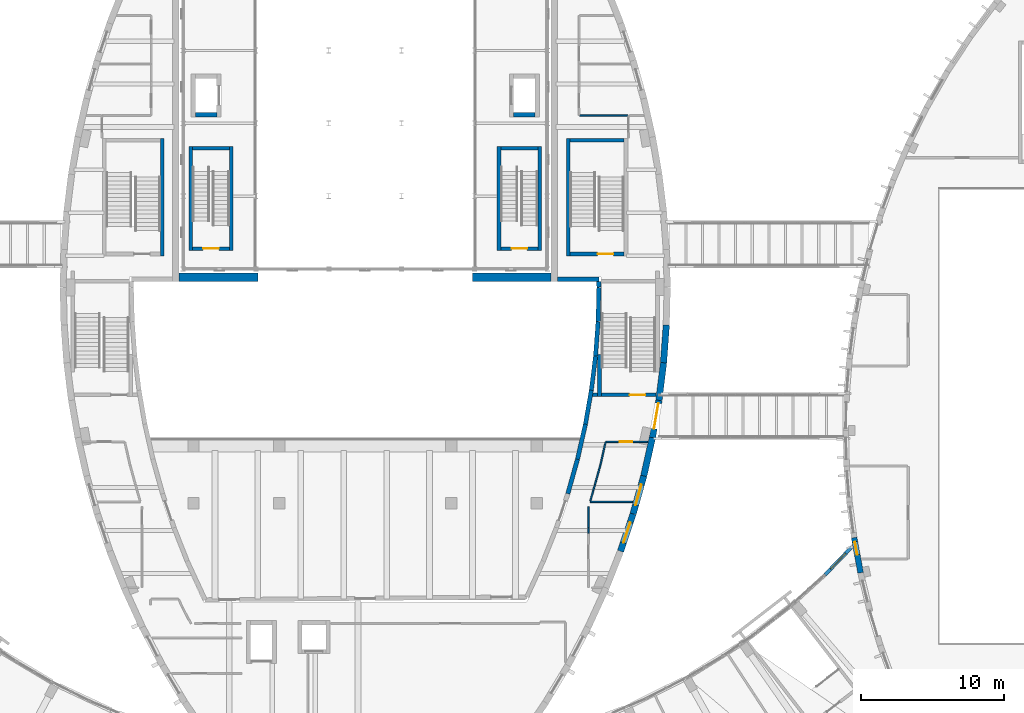
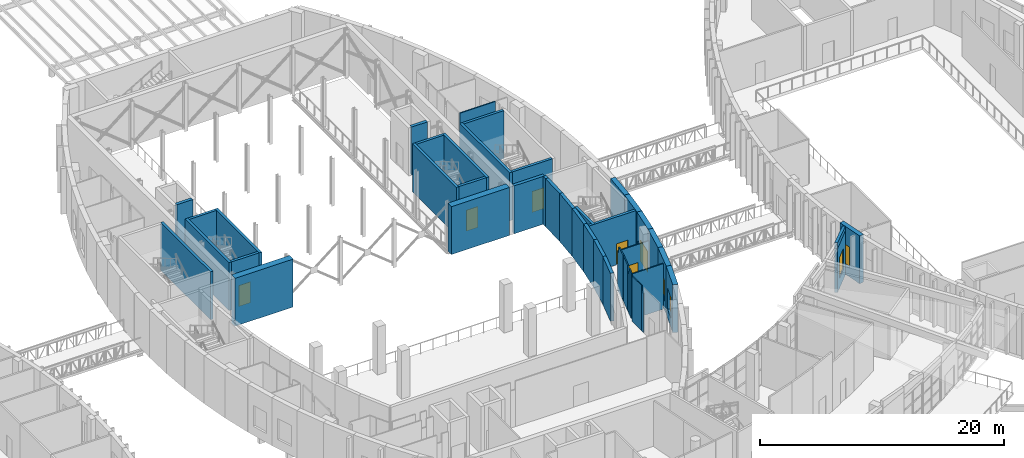
# One storey, part 61 of 93: 44 walls, 6 doors, 4 windows, 10 openings.
"""IFC4 building model written with IfcOpenShell, lengths in metres."""

from ifc_helpers import new_model, si_unit, direction, frame, frame_2d, origin, place, context, subcontext, project, spatial, polyline, rectangle, outline, extrude, material, layer, layer_set, type_object, element, fill, save


model = new_model("IFC4")

# Units and contexts
model_context = context("Model", 3, precision=1e-05, world=origin(), true_north=direction((0.0, 1.0)))
body_context = subcontext(model_context, "Body", "Model", "MODEL_VIEW")
ifc_project = project(units=[si_unit("LENGTHUNIT", "METRE"), si_unit("AREAUNIT", "SQUARE_METRE"), si_unit("VOLUMEUNIT", "CUBIC_METRE"), si_unit("PLANEANGLEUNIT", "RADIAN"), si_unit("MASSUNIT", "GRAM", prefix="KILO")], contexts=[model_context])

# Site, building, storey
site_placement = place(None, origin())
site = spatial("IfcSite", under=ifc_project, at=site_placement, CompositionType="ELEMENT")
building_placement = place(site_placement, origin())
building = spatial("IfcBuilding", under=site, at=building_placement, Name="Tide Square Theatres", CompositionType="ELEMENT")
storey_placement = place(building_placement, frame((0.0, 0.0, 5.39990234375)))
storey = spatial("IfcBuildingStorey", under=building, at=storey_placement, Name="L01", CompositionType="ELEMENT", Elevation=5.39990234375)

# Walls
ifc_material_1 = material(Name="Gypsum board on steel studs", Category="steel")
ifc_layer_1 = layer(ifc_material_1, 0.10009765625)
ifc_layer_set_1 = layer_set([ifc_layer_1], Name="Gypsum board on steel studs")
wall_type_1 = type_object("IfcWallType", Name="Partition 100 thick", PredefinedType="PARTITIONING", material=ifc_layer_set_1)
wall_1_placement = place(storey_placement, frame((102.360107421875, 67.0, 0.0), z_axis=(0.0, 0.0, 1.0), x_axis=(-1.0, 0.0, 0.0)))
element("IfcWall", 1, at=wall_1_placement, inside=storey, type_object=wall_type_1, Name="Partition", PredefinedType="PARTITIONING", context=body_context, shape_type="SweptSolid", body=[
    extrude(rectangle(XDim=3.376953125, YDim=0.10009765625, at=frame_2d((1.6884765625, 0.0))), origin(), (0.0, 0.0, 1.0), 4.550048828125),
])
wall_2_placement = place(storey_placement, frame((99.60009765625, 37.820068359375, 0.0), z_axis=(0.0, 0.0, 1.0), x_axis=(0.0, 1.0, 0.0)))
element("IfcWall", 2, at=wall_2_placement, inside=storey, type_object=wall_type_1, Name="Partition", PredefinedType="PARTITIONING", context=body_context, shape_type="SweptSolid", body=[
    extrude(rectangle(XDim=0.35986328125, YDim=0.10009765625, at=frame_2d((0.179931640625, 0.0))), origin(), (0.0, 0.0, 1.0), 3.920166015625),
])
wall_3_placement = place(storey_placement, frame((99.60009765625, 38.179931640625, 0.0), z_axis=(0.0, 0.0, 1.0), x_axis=(0.0, 1.0, 0.0)))
element("IfcWall", 3, at=wall_3_placement, inside=storey, type_object=wall_type_1, Name="Partition", PredefinedType="PARTITIONING", context=body_context, shape_type="SweptSolid", body=[
    extrude(rectangle(XDim=1.487548828125, YDim=0.10009765625, at=frame_2d((0.74365234375, 0.0))), origin(), (0.0, 0.0, 1.0), 4.550048828125),
])
wall_4_placement = place(storey_placement, frame((99.7373046875, 40.082763671875, 0.0), z_axis=(0.0, 0.0, 1.0), x_axis=(0.270039714022, 0.962849184894, 0.0)))
element("IfcWall", 4, at=wall_4_placement, inside=storey, type_object=wall_type_1, Name="Partition", PredefinedType="PARTITIONING", context=body_context, shape_type="SweptSolid", body=[
    extrude(rectangle(XDim=0.751220703125, YDim=0.10009765625, at=frame_2d((0.37548828125, 0.0))), origin(), (0.0, 0.0, 1.0), 4.550048828125),
])
wall_5_placement = place(storey_placement, frame((99.940185546875, 40.80615234375, 0.0), z_axis=(0.0, 0.0, 1.0), x_axis=(0.26983234105, 0.962907320423, 0.0)))
element("IfcWall", 5, at=wall_5_placement, inside=storey, type_object=wall_type_1, Name="Partition", PredefinedType="PARTITIONING", context=body_context, shape_type="SweptSolid", body=[
    extrude(rectangle(XDim=0.402587890625, YDim=0.10009765625, at=frame_2d((0.201171875, 0.0))), origin(), (0.0, 0.0, 1.0), 3.920166015625),
])
wall_6_placement = place(storey_placement, frame((100.048828125, 41.19384765625, 0.0), z_axis=(0.0, 0.0, 1.0), x_axis=(0.269963692325, 0.962870502626, 0.0)))
element("IfcWall", 6, at=wall_6_placement, inside=storey, type_object=wall_type_1, Name="Partition", PredefinedType="PARTITIONING", context=body_context, shape_type="SweptSolid", body=[
    extrude(rectangle(XDim=1.43798828125, YDim=0.10009765625, at=frame_2d((0.718994140625, 0.0))), origin(), (0.0, 0.0, 1.0), 4.550048828125),
])
wall_7_placement = place(storey_placement, frame((99.7373046875, 40.0, 0.0), z_axis=(0.0, 0.0, 1.0), x_axis=(1.0, 0.0, 0.0)))
element("IfcWall", 7, at=wall_7_placement, inside=storey, type_object=wall_type_1, Name="Partition", PredefinedType="PARTITIONING", context=body_context, shape_type="SweptSolid", body=[
    extrude(rectangle(XDim=2.94873046875, YDim=0.10009765625, at=frame_2d((1.474365234375, 0.0))), origin(), (0.0, 0.0, 1.0), 4.550048828125),
])
wall_8_placement = place(storey_placement, frame((100.43994140625, 42.590576171875, 0.0), z_axis=(0.0, 0.0, 1.0), x_axis=(0.220357953529, 0.975419075227, 0.0)))
element("IfcWall", 8, at=wall_8_placement, inside=storey, type_object=wall_type_1, Name="Partition", PredefinedType="PARTITIONING", context=body_context, shape_type="SweptSolid", body=[
    extrude(outline(polyline([(0.0, 0.0), (1.620849609375, 0.0), (1.631103515625, 4.550048828125), (1.631103515625, 3.920166015625), (1.2490234375, 3.920166015625), (1.2470703125, 4.550048828125), (0.0, 4.550048828125), (0.0, 0.0)])), frame((0.0, 0.050048828125, 0.0), z_axis=(0.0, -1.0, 0.0), x_axis=(1.0, 0.0, 0.0)), (0.0, 0.0, 1.0), 0.10009765625),
])

# Wall, opening, door
wall_9_placement = place(storey_placement, frame((100.822509765625, 44.199951171875, 0.0), z_axis=(0.0, 0.0, 1.0), x_axis=(1.0, 0.0, 0.0)))
wall_9 = element("IfcWall", 9, at=wall_9_placement, inside=storey, type_object=wall_type_1, Name="Partition", PredefinedType="PARTITIONING", context=body_context, shape_type="SweptSolid", body=[
    extrude(rectangle(XDim=2.9140625, YDim=0.10009765625, at=frame_2d((1.45703125, 0.0))), origin(), (0.0, 0.0, 1.0), 3.920166015625),
])
opening_1_placement = place(wall_9_placement, frame((0.95703125, 0.0, 0.0)))
opening_1 = element("IfcOpeningElement", 10, at=opening_1_placement, cuts=wall_9, Name="Opening M01-15", PredefinedType="OPENING", context=body_context, shape_type="SweptSolid", body=[
    extrude(rectangle(XDim=0.89990234375, YDim=2.10009765625, at=frame_2d((0.449951171875, 1.050048828125))), frame((0.0, 0.06005859375, 0.0), z_axis=(0.0, -1.0, 0.0), x_axis=(1.0, 0.0, 0.0)), (0.0, 0.0, 1.0), 0.1201171875),
])
ifc_material_2 = material(Name="Hardwood timber", Category="wood")
door_type_1 = type_object("IfcDoorType", Name="Door 900 x 2100 single leaf", OperationType="NOTDEFINED", PredefinedType="DOOR", material=ifc_material_2)
door_1_placement = place(opening_1_placement, frame((0.89990234375, 0.0, 0.0), z_axis=(0.0, 0.0, 1.0), x_axis=(-1.0, 0.0, 0.0)))
door_1 = element("IfcDoor", 11, at=door_1_placement, inside=storey, type_object=door_type_1, Name="Wardrobe Room door", OperationType="SINGLE_SWING_LEFT", OverallHeight=2.10009765625, OverallWidth=0.89990234375, PredefinedType="DOOR", context=body_context, shape_type="SweptSolid", body=[
    extrude(rectangle(XDim=0.89990234375, YDim=2.10009765625, at=frame_2d((0.449951171875, 1.050048828125))), frame((0.0, 0.02490234375, 0.0), z_axis=(0.0, -1.0, 0.0), x_axis=(1.0, 0.0, 0.0)), (0.0, 0.0, 1.0), 0.050048828125),
])
fill(opening_1, door_1)

# Wall, opening, window
ifc_material_3 = material(Name="Concrete C40", Category="concrete")
ifc_layer_2 = layer(ifc_material_3, 0.39990234375)
ifc_layer_set_2 = layer_set([ifc_layer_2], Name="Concrete C40")
wall_type_2 = type_object("IfcWallType", Name="RC curved wall 400 thick", PredefinedType="SOLIDWALL", material=ifc_layer_set_2)
wall_10_placement = place(storey_placement, frame((118.164794921875, 37.501953125, 0.0), z_axis=(0.0, 0.0, 1.0), x_axis=(0.182652956339, -0.983177449671, 0.0)))
wall_10 = element("IfcWall", 12, at=wall_10_placement, inside=storey, type_object=wall_type_2, Name="Black Box Theatre perimeter wall", PredefinedType="SOLIDWALL", context=body_context, shape_type="SweptSolid", body=[
    extrude(rectangle(XDim=2.496826171875, YDim=0.39990234375, at=frame_2d((1.24853515625, 0.0))), origin(), (0.0, 0.0, 1.0), 4.800048828125),
])
opening_2_placement = place(wall_10_placement, frame((0.307373046875, 0.0, 0.89990234375)))
opening_2 = element("IfcOpeningElement", 13, at=opening_2_placement, cuts=wall_10, Name="Opening WN-10", PredefinedType="OPENING", context=body_context, shape_type="SweptSolid", body=[
    extrude(rectangle(XDim=0.89990234375, YDim=2.10009765625, at=frame_2d((0.449951171875, 1.050048828125))), frame((0.0, 0.2099609375, 0.0), z_axis=(0.0, -1.0, 0.0), x_axis=(1.0, 0.0, 0.0)), (0.0, 0.0, 1.0), 0.419921875),
])
ifc_material_4 = material(Name="Aluminium with laminated glass", Category="aluminium")
window_type_1 = type_object("IfcWindowType", Name="Window 900 x 2100", PartitioningType="SINGLE_PANEL", PredefinedType="WINDOW", material=ifc_material_4)
window_1_placement = place(opening_2_placement, origin())
window_1 = element("IfcWindow", 14, at=window_1_placement, inside=storey, type_object=window_type_1, Name="Black Box Theatre Rehearsal Room 01 window", OverallHeight=2.10009765625, OverallWidth=0.89990234375, PartitioningType="SINGLE_PANEL", PredefinedType="WINDOW", context=body_context, shape_type="SweptSolid", body=[
    extrude(rectangle(XDim=0.89990234375, YDim=2.10009765625, at=frame_2d((0.449951171875, 1.050048828125))), frame((0.0, 0.030029296875, 0.0), z_axis=(0.0, -1.0, 0.0), x_axis=(1.0, 0.0, 0.0)), (0.0, 0.0, 1.0), 0.06005859375),
])
fill(opening_2, window_1)

ifc_material_5 = material(Name="Concrete C40", Category="concrete")
ifc_layer_3 = layer(ifc_material_5, 0.449951171875)
ifc_layer_set_3 = layer_set([ifc_layer_3], Name="Concrete C40")
wall_type_3 = type_object("IfcWallType", Name="RC curved wall 450 thick", PredefinedType="SOLIDWALL", material=ifc_layer_set_3)
wall_11_placement = place(storey_placement, frame((101.846923828125, 36.55322265625, 0.0), z_axis=(0.0, 0.0, 1.0), x_axis=(0.318887614688, 0.947792534893, 0.0)))
wall_11 = element("IfcWall", 15, at=wall_11_placement, inside=storey, type_object=wall_type_3, Name="Main Theatre perimeter wall", PredefinedType="SOLIDWALL", context=body_context, shape_type="SweptSolid", body=[
    extrude(rectangle(XDim=2.75244140625, YDim=0.449951171875, at=frame_2d((1.376220703125, 0.0))), origin(), (0.0, 0.0, 1.0), 4.800048828125),
])
opening_3_placement = place(wall_11_placement, frame((0.626220703125, 0.0, 0.89990234375)))
opening_3 = element("IfcOpeningElement", 16, at=opening_3_placement, cuts=wall_11, Name="Opening WN-01", PredefinedType="OPENING", context=body_context, shape_type="SweptSolid", body=[
    extrude(rectangle(XDim=1.5, YDim=2.10009765625, at=frame_2d((0.75, 1.050048828125))), frame((0.0, 0.23486328125, 0.0), z_axis=(0.0, -1.0, 0.0), x_axis=(1.0, 0.0, 0.0)), (0.0, 0.0, 1.0), 0.469970703125),
])
ifc_material_6 = material(Name="Aluminium with laminated glass", Category="aluminium")
window_type_2 = type_object("IfcWindowType", Name="Window 1500 x 2100", PartitioningType="SINGLE_PANEL", PredefinedType="WINDOW", material=ifc_material_6)
window_2_placement = place(opening_3_placement, origin())
window_2 = element("IfcWindow", 17, at=window_2_placement, inside=storey, type_object=window_type_2, Name="Main Theatre window", OverallHeight=2.10009765625, OverallWidth=1.5, PartitioningType="SINGLE_PANEL", PredefinedType="WINDOW", context=body_context, shape_type="SweptSolid", body=[
    extrude(rectangle(XDim=1.5, YDim=2.10009765625, at=frame_2d((0.75, 1.050048828125))), frame((0.0, 0.030029296875, 0.0), z_axis=(0.0, -1.0, 0.0), x_axis=(1.0, 0.0, 0.0)), (0.0, 0.0, 1.0), 0.06005859375),
])
fill(opening_3, window_2)

wall_12_placement = place(storey_placement, frame((102.724609375, 39.161865234375, 0.0), z_axis=(0.0, 0.0, 1.0), x_axis=(0.270008269196, 0.962858003324, 0.0)))
wall_12 = element("IfcWall", 18, at=wall_12_placement, inside=storey, type_object=wall_type_3, Name="Main Theatre perimeter wall", PredefinedType="SOLIDWALL", context=body_context, shape_type="SweptSolid", body=[
    extrude(rectangle(XDim=2.75244140625, YDim=0.449951171875, at=frame_2d((1.376220703125, 0.0))), origin(), (0.0, 0.0, 1.0), 4.800048828125),
])
opening_4_placement = place(wall_12_placement, frame((0.626220703125, 0.0, 0.89990234375)))
opening_4 = element("IfcOpeningElement", 19, at=opening_4_placement, cuts=wall_12, Name="Opening WN-01", PredefinedType="OPENING", context=body_context, shape_type="SweptSolid", body=[
    extrude(rectangle(XDim=1.5, YDim=2.10009765625, at=frame_2d((0.75, 1.050048828125))), frame((0.0, 0.23486328125, 0.0), z_axis=(0.0, -1.0, 0.0), x_axis=(1.0, 0.0, 0.0)), (0.0, 0.0, 1.0), 0.469970703125),
])
window_3_placement = place(opening_4_placement, origin())
window_3 = element("IfcWindow", 20, at=window_3_placement, inside=storey, type_object=window_type_2, Name="Main Theatre window", OverallHeight=2.10009765625, OverallWidth=1.5, PartitioningType="SINGLE_PANEL", PredefinedType="WINDOW", context=body_context, shape_type="SweptSolid", body=[
    extrude(rectangle(XDim=1.5, YDim=2.10009765625, at=frame_2d((0.75, 1.050048828125))), frame((0.0, 0.030029296875, 0.0), z_axis=(0.0, -1.0, 0.0), x_axis=(1.0, 0.0, 0.0)), (0.0, 0.0, 1.0), 0.06005859375),
])
fill(opening_4, window_3)

# Wall
wall_13_placement = place(storey_placement, frame((103.4677734375, 41.81201171875, 0.0), z_axis=(0.0, 0.0, 1.0), x_axis=(0.220347996563, 0.975421324562, 0.0)))
element("IfcWall", 21, at=wall_13_placement, inside=storey, type_object=wall_type_3, Name="Main Theatre perimeter wall", PredefinedType="SOLIDWALL", context=body_context, shape_type="SweptSolid", body=[
    extrude(rectangle(XDim=2.752197265625, YDim=0.449951171875, at=frame_2d((1.3759765625, 0.0))), origin(), (0.0, 0.0, 1.0), 4.800048828125),
])

# Wall, opening, door
wall_14_placement = place(storey_placement, frame((104.07421875, 44.49658203125, 0.0), z_axis=(0.0, 0.0, 1.0), x_axis=(0.171196910379, 0.985236833394, 0.0)))
wall_14 = element("IfcWall", 22, at=wall_14_placement, inside=storey, type_object=wall_type_3, Name="Main Theatre perimeter wall", PredefinedType="SOLIDWALL", context=body_context, shape_type="SweptSolid", body=[
    extrude(rectangle(XDim=2.642578125, YDim=0.449951171875, at=frame_2d((1.3212890625, 0.0))), origin(), (0.0, 0.0, 1.0), 4.800048828125),
])
opening_5_placement = place(wall_14_placement, frame((0.6259765625, 0.0, 0.0)))
opening_5 = element("IfcOpeningElement", 23, at=opening_5_placement, cuts=wall_14, Name="Opening M01-08", PredefinedType="OPENING", context=body_context, shape_type="SweptSolid", body=[
    extrude(rectangle(XDim=1.800048828125, YDim=2.10009765625, at=frame_2d((0.89990234375, 1.050048828125))), frame((0.0, 0.23486328125, 0.0), z_axis=(0.0, -1.0, 0.0), x_axis=(1.0, 0.0, 0.0)), (0.0, 0.0, 1.0), 0.469970703125),
])
ifc_material_7 = material(Name="Hardwood timber", Category="wood")
door_type_2 = type_object("IfcDoorType", Name="Door 1800 x 2100 double leaf", OperationType="DOUBLE_DOOR_SINGLE_SWING", PredefinedType="DOOR", material=ifc_material_7)
door_2_placement = place(opening_5_placement, frame((1.800048828125, 0.0, 0.0), z_axis=(0.0, 0.0, 1.0), x_axis=(-1.0, 0.0, 0.0)))
door_2 = element("IfcDoor", 24, at=door_2_placement, inside=storey, type_object=door_type_2, Name="Bridge door BR-E2", OperationType="DOUBLE_DOOR_SINGLE_SWING", OverallHeight=2.10009765625, OverallWidth=1.800048828125, PredefinedType="DOOR", context=body_context, shape_type="SweptSolid", body=[
    extrude(rectangle(XDim=1.800048828125, YDim=2.10009765625, at=frame_2d((0.89990234375, 1.050048828125))), frame((0.0, 0.02490234375, 0.0), z_axis=(0.0, -1.0, 0.0), x_axis=(1.0, 0.0, 0.0)), (0.0, 0.0, 1.0), 0.050048828125),
])
fill(opening_5, door_2)

# Walls
wall_15_placement = place(storey_placement, frame((104.526611328125, 47.10009765625, 0.0), z_axis=(0.0, 0.0, 1.0), x_axis=(0.122499610212, 0.992468561466, 0.0)))
element("IfcWall", 25, at=wall_15_placement, inside=storey, type_object=wall_type_3, Name="Main Theatre perimeter wall", PredefinedType="SOLIDWALL", context=body_context, shape_type="SweptSolid", body=[
    extrude(rectangle(XDim=2.642822265625, YDim=0.449951171875, at=frame_2d((1.3212890625, 0.0))), origin(), (0.0, 0.0, 1.0), 4.800048828125),
])
wall_16_placement = place(storey_placement, frame((104.850341796875, 49.722900390625, 0.0), z_axis=(0.0, 0.0, 1.0), x_axis=(0.07363685767, 0.997285121313, 0.0)))
element("IfcWall", 26, at=wall_16_placement, inside=storey, type_object=wall_type_3, Name="Main Theatre perimeter wall", PredefinedType="SOLIDWALL", context=body_context, shape_type="SweptSolid", body=[
    extrude(rectangle(XDim=2.642333984375, YDim=0.449951171875, at=frame_2d((1.3212890625, 0.0))), origin(), (0.0, 0.0, 1.0), 4.800048828125),
])
ifc_material_8 = material(Name="Concrete C40", Category="concrete")
ifc_layer_4 = layer(ifc_material_8, 0.25)
ifc_layer_set_4 = layer_set([ifc_layer_4], Name="Concrete C40")
wall_type_4 = type_object("IfcWallType", Name="RC shear wall 250 thick", PredefinedType="SHEAR", material=ifc_layer_set_4)
for number, where, z_axis, x_axis, name in (
    (27, (69.824951171875, 57.199951171875, 0.0), (0.0, 0.0, 1.0), (0.0, 1.0, 0.0), "Main Theatre West Stair shaft wall"),
    (28, (98.175048828125, 65.39990234375, 0.0), (0.0, 0.0, 1.0), (0.0, -1.0, 0.0), "Main Theatre East Stair shaft wall"),
):
    element("IfcWall", number, at=place(storey_placement, frame(where, z_axis=z_axis, x_axis=x_axis)), inside=storey, type_object=wall_type_4, Name=name, PredefinedType="SHEAR", context=body_context, shape_type="SweptSolid", body=[
        extrude(rectangle(XDim=8.199951171875, YDim=0.25, at=frame_2d((4.10009765625, 0.0))), origin(), (0.0, 0.0, 1.0), 4.800048828125),
    ])
wall_17_placement = place(storey_placement, frame((98.300048828125, 65.27490234375, 0.0), z_axis=(0.0, 0.0, 1.0), x_axis=(1.0, 0.0, 0.0)))
element("IfcWall", 29, at=wall_17_placement, inside=storey, type_object=wall_type_4, Name="Main Theatre East Stair shaft wall", PredefinedType="SHEAR", context=body_context, shape_type="SweptSolid", body=[
    extrude(rectangle(XDim=3.800048828125, YDim=0.25, at=frame_2d((1.89990234375, 0.0))), origin(), (0.0, 0.0, 1.0), 4.800048828125),
])

# Wall, opening, door
wall_18_placement = place(storey_placement, frame((102.10009765625, 57.324951171875, 0.0), z_axis=(0.0, 0.0, 1.0), x_axis=(-1.0, 0.0, 0.0)))
wall_18 = element("IfcWall", 30, at=wall_18_placement, inside=storey, type_object=wall_type_4, Name="Main Theatre East Stair shaft wall", PredefinedType="SHEAR", context=body_context, shape_type="SweptSolid", body=[
    extrude(rectangle(XDim=3.800048828125, YDim=0.25, at=frame_2d((1.89990234375, 0.0))), origin(), (0.0, 0.0, 1.0), 4.800048828125),
])
opening_6_placement = place(wall_18_placement, frame((0.75, 0.0, 0.0)))
opening_6 = element("IfcOpeningElement", 31, at=opening_6_placement, cuts=wall_18, Name="Opening M01-02", PredefinedType="OPENING", context=body_context, shape_type="SweptSolid", body=[
    extrude(rectangle(XDim=1.10009765625, YDim=2.10009765625, at=frame_2d((0.550048828125, 1.050048828125))), frame((0.0, 0.135009765625, 0.0), z_axis=(0.0, -1.0, 0.0), x_axis=(1.0, 0.0, 0.0)), (0.0, 0.0, 1.0), 0.27001953125),
])
ifc_material_9 = material(Name="Painted steel", Category="steel")
door_type_3 = type_object("IfcDoorType", Name="Door 1100 x 2100 single leaf", OperationType="NOTDEFINED", PredefinedType="DOOR", material=ifc_material_9)
door_3_placement = place(opening_6_placement, origin())
door_3 = element("IfcDoor", 32, at=door_3_placement, inside=storey, type_object=door_type_3, Name="Main Theatre East Stair stair door", OperationType="SINGLE_SWING_LEFT", OverallHeight=2.10009765625, OverallWidth=1.10009765625, PredefinedType="DOOR", context=body_context, shape_type="SweptSolid", body=[
    extrude(rectangle(XDim=1.10009765625, YDim=2.10009765625, at=frame_2d((0.550048828125, 1.050048828125))), frame((0.0, 0.02490234375, 0.0), z_axis=(0.0, -1.0, 0.0), x_axis=(1.0, 0.0, 0.0)), (0.0, 0.0, 1.0), 0.050048828125),
])
fill(opening_6, door_3)

# Wall
wall_19_placement = place(storey_placement, frame((100.375, 50.318115234375, 0.0), z_axis=(0.0, 0.0, 1.0), x_axis=(0.0, -1.0, 0.0)))
element("IfcWall", 33, at=wall_19_placement, inside=storey, type_object=wall_type_4, Name="Main Theatre East Circle Stair shaft wall", PredefinedType="SHEAR", context=body_context, shape_type="SweptSolid", body=[
    extrude(rectangle(XDim=2.968017578125, YDim=0.25, at=frame_2d((1.48388671875, 0.0))), origin(), (0.0, 0.0, 1.0), 4.800048828125),
])

# Wall, opening, door
wall_20_placement = place(storey_placement, frame((104.330078125, 47.47509765625, 0.0), z_axis=(0.0, 0.0, 1.0), x_axis=(-1.0, 0.0, 0.0)))
wall_20 = element("IfcWall", 34, at=wall_20_placement, inside=storey, type_object=wall_type_4, Name="Main Theatre East Circle Stair shaft wall", PredefinedType="SHEAR", context=body_context, shape_type="SweptSolid", body=[
    extrude(rectangle(XDim=4.43017578125, YDim=0.25, at=frame_2d((2.215087890625, 0.0))), origin(), (0.0, 0.0, 1.0), 4.800048828125),
])
opening_7_placement = place(wall_20_placement, frame((0.75, 0.0, 0.0)))
opening_7 = element("IfcOpeningElement", 35, at=opening_7_placement, cuts=wall_20, Name="Opening M01-04", PredefinedType="OPENING", context=body_context, shape_type="SweptSolid", body=[
    extrude(rectangle(XDim=1.10009765625, YDim=2.10009765625, at=frame_2d((0.550048828125, 1.050048828125))), frame((0.0, 0.135009765625, 0.0), z_axis=(0.0, -1.0, 0.0), x_axis=(1.0, 0.0, 0.0)), (0.0, 0.0, 1.0), 0.27001953125),
])
door_4_placement = place(opening_7_placement, origin())
door_4 = element("IfcDoor", 36, at=door_4_placement, inside=storey, type_object=door_type_3, Name="Main Theatre East Circle Stair stair door", OperationType="SINGLE_SWING_RIGHT", OverallHeight=2.10009765625, OverallWidth=1.10009765625, PredefinedType="DOOR", context=body_context, shape_type="SweptSolid", body=[
    extrude(rectangle(XDim=1.10009765625, YDim=2.10009765625, at=frame_2d((0.550048828125, 1.050048828125))), frame((0.0, 0.02490234375, 0.0), z_axis=(0.0, -1.0, 0.0), x_axis=(1.0, 0.0, 0.0)), (0.0, 0.0, 1.0), 0.050048828125),
])
fill(opening_7, door_4)

# Walls
for number, where, z_axis, x_axis, name in (
    (37, (74.65087890625, 57.575927734375, 0.0), (0.0, 0.0, 1.0), (0.0, 1.0, 0.0), "Fly Tower west stair shaft wall"),
    (38, (71.801025390625, 64.825927734375, 0.0), (0.0, 0.0, 1.0), (0.0, -1.0, 0.0), "Fly Tower west stair shaft wall"),
):
    element("IfcWall", number, at=place(storey_placement, frame(where, z_axis=z_axis, x_axis=x_axis)), inside=storey, type_object=wall_type_4, Name=name, PredefinedType="SHEAR", context=body_context, shape_type="SweptSolid", body=[
        extrude(rectangle(XDim=7.25, YDim=0.25, at=frame_2d((3.625, 0.0))), origin(), (0.0, 0.0, 1.0), 4.800048828125),
    ])
wall_21_placement = place(storey_placement, frame((71.926025390625, 64.700927734375, 0.0), z_axis=(0.0, 0.0, 1.0), x_axis=(1.0, 0.0, 0.0)))
element("IfcWall", 39, at=wall_21_placement, inside=storey, type_object=wall_type_4, Name="Fly Tower west stair shaft wall", PredefinedType="SHEAR", context=body_context, shape_type="SweptSolid", body=[
    extrude(rectangle(XDim=2.599853515625, YDim=0.25, at=frame_2d((1.2998046875, 0.0))), origin(), (0.0, 0.0, 1.0), 4.800048828125),
])

# Wall, opening, door
wall_22_placement = place(storey_placement, frame((74.52587890625, 57.700927734375, 0.0), z_axis=(0.0, 0.0, 1.0), x_axis=(-1.0, 0.0, 0.0)))
wall_22 = element("IfcWall", 40, at=wall_22_placement, inside=storey, type_object=wall_type_4, Name="Fly Tower west stair shaft wall", PredefinedType="SHEAR", context=body_context, shape_type="SweptSolid", body=[
    extrude(rectangle(XDim=2.599853515625, YDim=0.25, at=frame_2d((1.2998046875, 0.0))), origin(), (0.0, 0.0, 1.0), 4.800048828125),
])
opening_8_placement = place(wall_22_placement, frame((0.75, 0.0, 0.0)))
opening_8 = element("IfcOpeningElement", 41, at=opening_8_placement, cuts=wall_22, Name="Opening T01-01", PredefinedType="OPENING", context=body_context, shape_type="SweptSolid", body=[
    extrude(rectangle(XDim=1.10009765625, YDim=2.10009765625, at=frame_2d((0.550048828125, 1.050048828125))), frame((0.0, 0.135009765625, 0.0), z_axis=(0.0, -1.0, 0.0), x_axis=(1.0, 0.0, 0.0)), (0.0, 0.0, 1.0), 0.27001953125),
])
door_5_placement = place(opening_8_placement, origin())
door_5 = element("IfcDoor", 42, at=door_5_placement, inside=storey, type_object=door_type_3, Name="Fly Tower west stair stair door", OperationType="SINGLE_SWING_RIGHT", OverallHeight=2.10009765625, OverallWidth=1.10009765625, PredefinedType="DOOR", context=body_context, shape_type="SweptSolid", body=[
    extrude(rectangle(XDim=1.10009765625, YDim=2.10009765625, at=frame_2d((0.550048828125, 1.050048828125))), frame((0.0, 0.02490234375, 0.0), z_axis=(0.0, -1.0, 0.0), x_axis=(1.0, 0.0, 0.0)), (0.0, 0.0, 1.0), 0.050048828125),
])
fill(opening_8, door_5)

# Walls
for number, where, z_axis, x_axis, name in (
    (43, (96.198974609375, 57.575927734375, 0.0), (0.0, 0.0, 1.0), (0.0, 1.0, 0.0), "Fly Tower east stair shaft wall"),
    (44, (93.34912109375, 64.825927734375, 0.0), (0.0, 0.0, 1.0), (0.0, -1.0, 0.0), "Fly Tower east stair shaft wall"),
):
    element("IfcWall", number, at=place(storey_placement, frame(where, z_axis=z_axis, x_axis=x_axis)), inside=storey, type_object=wall_type_4, Name=name, PredefinedType="SHEAR", context=body_context, shape_type="SweptSolid", body=[
        extrude(rectangle(XDim=7.25, YDim=0.25, at=frame_2d((3.625, 0.0))), origin(), (0.0, 0.0, 1.0), 4.800048828125),
    ])
wall_23_placement = place(storey_placement, frame((93.47412109375, 64.700927734375, 0.0), z_axis=(0.0, 0.0, 1.0), x_axis=(1.0, 0.0, 0.0)))
element("IfcWall", 45, at=wall_23_placement, inside=storey, type_object=wall_type_4, Name="Fly Tower east stair shaft wall", PredefinedType="SHEAR", context=body_context, shape_type="SweptSolid", body=[
    extrude(rectangle(XDim=2.599853515625, YDim=0.25, at=frame_2d((1.2998046875, 0.0))), origin(), (0.0, 0.0, 1.0), 4.800048828125),
])

# Wall, opening, door
wall_24_placement = place(storey_placement, frame((96.073974609375, 57.700927734375, 0.0), z_axis=(0.0, 0.0, 1.0), x_axis=(-1.0, 0.0, 0.0)))
wall_24 = element("IfcWall", 46, at=wall_24_placement, inside=storey, type_object=wall_type_4, Name="Fly Tower east stair shaft wall", PredefinedType="SHEAR", context=body_context, shape_type="SweptSolid", body=[
    extrude(rectangle(XDim=2.599853515625, YDim=0.25, at=frame_2d((1.2998046875, 0.0))), origin(), (0.0, 0.0, 1.0), 4.800048828125),
])
opening_9_placement = place(wall_24_placement, frame((0.75, 0.0, 0.0)))
opening_9 = element("IfcOpeningElement", 47, at=opening_9_placement, cuts=wall_24, Name="Opening T01-02", PredefinedType="OPENING", context=body_context, shape_type="SweptSolid", body=[
    extrude(rectangle(XDim=1.10009765625, YDim=2.10009765625, at=frame_2d((0.550048828125, 1.050048828125))), frame((0.0, 0.135009765625, 0.0), z_axis=(0.0, -1.0, 0.0), x_axis=(1.0, 0.0, 0.0)), (0.0, 0.0, 1.0), 0.27001953125),
])
door_6_placement = place(opening_9_placement, origin())
door_6 = element("IfcDoor", 48, at=door_6_placement, inside=storey, type_object=door_type_3, Name="Fly Tower east stair stair door", OperationType="SINGLE_SWING_RIGHT", OverallHeight=2.10009765625, OverallWidth=1.10009765625, PredefinedType="DOOR", context=body_context, shape_type="SweptSolid", body=[
    extrude(rectangle(XDim=1.10009765625, YDim=2.10009765625, at=frame_2d((0.550048828125, 1.050048828125))), frame((0.0, 0.02490234375, 0.0), z_axis=(0.0, -1.0, 0.0), x_axis=(1.0, 0.0, 0.0)), (0.0, 0.0, 1.0), 0.050048828125),
])
fill(opening_9, door_6)

# Wall, opening, window
wall_25_placement = place(storey_placement, frame((117.96337890625, 36.807373046875, 0.0), z_axis=(0.0, 0.0, 1.0), x_axis=(-0.694251740415, -0.71973225642, 0.0)))
wall_25 = element("IfcWall", 49, at=wall_25_placement, inside=storey, type_object=wall_type_4, Name="Foyer court door pier wall", PredefinedType="SHEAR", context=body_context, shape_type="SweptSolid", body=[
    extrude(rectangle(XDim=2.64453125, YDim=0.25, at=frame_2d((1.322265625, 0.0))), origin(), (0.0, 0.0, 1.0), 4.420654296875),
])
opening_10_placement = place(wall_25_placement, frame((0.572265625, 0.0, 1.0)))
opening_10 = element("IfcOpeningElement", 50, at=opening_10_placement, cuts=wall_25, Name="Opening WN-01", PredefinedType="OPENING", context=body_context, shape_type="SweptSolid", body=[
    extrude(rectangle(XDim=1.5, YDim=2.10009765625, at=frame_2d((0.75, 1.050048828125))), frame((0.0, 0.135009765625, 0.0), z_axis=(0.0, -1.0, 0.0), x_axis=(1.0, 0.0, 0.0)), (0.0, 0.0, 1.0), 0.27001953125),
])
window_4_placement = place(opening_10_placement, origin())
window_4 = element("IfcWindow", 51, at=window_4_placement, inside=storey, type_object=window_type_2, Name="Foyer upper window", OverallHeight=2.10009765625, OverallWidth=1.5, PartitioningType="SINGLE_PANEL", PredefinedType="WINDOW", context=body_context, shape_type="SweptSolid", body=[
    extrude(rectangle(XDim=1.5, YDim=2.10009765625, at=frame_2d((0.75, 1.050048828125))), frame((0.0, 0.030029296875, 0.0), z_axis=(0.0, -1.0, 0.0), x_axis=(1.0, 0.0, 0.0)), (0.0, 0.0, 1.0), 0.06005859375),
])
fill(opening_10, window_4)

# Walls
wall_26_placement = place(storey_placement, frame((117.96337890625, 36.807373046875, 4.420654296875), z_axis=(0.0, 0.0, 1.0), x_axis=(-0.694251740415, -0.71973225642, 0.0)))
element("IfcWall", 52, at=wall_26_placement, inside=storey, type_object=wall_type_4, Name="Foyer fascia wall", PredefinedType="SHEAR", context=body_context, shape_type="SweptSolid", body=[
    extrude(outline(polyline([(0.0, 0.0), (2.64453125, 0.0), (2.64453125, 0.588134765625), (0.0, 0.449462890625), (0.0, 0.0)])), frame((0.0, 0.125, 0.0), z_axis=(0.0, -1.0, 0.0), x_axis=(1.0, 0.0, 0.0)), (0.0, 0.0, 1.0), 0.25),
])
ifc_material_10 = material(Name="Concrete C40", Category="concrete")
ifc_layer_5 = layer(ifc_material_10, 0.300048828125)
ifc_layer_set_5 = layer_set([ifc_layer_5], Name="Concrete C40")
wall_type_5 = type_object("IfcWallType", Name="RC shear wall 300 thick", PredefinedType="SHEAR", material=ifc_layer_set_5)
wall_27_placement = place(storey_placement, frame((98.159912109375, 40.568603515625, 0.0), z_axis=(0.0, 0.0, 1.0), x_axis=(0.269947665913, 0.962874995868, 0.0)))
element("IfcWall", 53, at=wall_27_placement, inside=storey, type_object=wall_type_5, Name="Main Theatre auditorium wall", PredefinedType="SHEAR", context=body_context, shape_type="SweptSolid", body=[
    extrude(rectangle(XDim=2.5078125, YDim=0.300048828125, at=frame_2d((1.25390625, 0.0))), origin(), (0.0, 0.0, 1.0), 4.800048828125),
])
wall_28_placement = place(storey_placement, frame((98.8369140625, 42.9833984375, 0.0), z_axis=(0.0, 0.0, 1.0), x_axis=(0.220389232345, 0.975412008469, 0.0)))
element("IfcWall", 54, at=wall_28_placement, inside=storey, type_object=wall_type_5, Name="Main Theatre auditorium wall", PredefinedType="SHEAR", context=body_context, shape_type="SweptSolid", body=[
    extrude(rectangle(XDim=2.51025390625, YDim=0.300048828125, at=frame_2d((1.255126953125, 0.0))), origin(), (0.0, 0.0, 1.0), 4.800048828125),
])
wall_29_placement = place(storey_placement, frame((99.39013671875, 45.431884765625, 0.0), z_axis=(0.0, 0.0, 1.0), x_axis=(0.171225522804, 0.985231861209, 0.0)))
element("IfcWall", 55, at=wall_29_placement, inside=storey, type_object=wall_type_5, Name="Main Theatre auditorium wall", PredefinedType="SHEAR", context=body_context, shape_type="SweptSolid", body=[
    extrude(rectangle(XDim=2.405517578125, YDim=0.300048828125, at=frame_2d((1.20263671875, 0.0))), origin(), (0.0, 0.0, 1.0), 4.800048828125),
])
wall_30_placement = place(storey_placement, frame((99.802001953125, 47.8017578125, 0.0), z_axis=(0.0, 0.0, 1.0), x_axis=(0.122487115362, 0.992470103615, 0.0)))
element("IfcWall", 56, at=wall_30_placement, inside=storey, type_object=wall_type_5, Name="Main Theatre auditorium wall", PredefinedType="SHEAR", context=body_context, shape_type="SweptSolid", body=[
    extrude(rectangle(XDim=2.40771484375, YDim=0.300048828125, at=frame_2d((1.203857421875, 0.0))), origin(), (0.0, 0.0, 1.0), 4.800048828125),
])
for number, where, z_axis, x_axis, name in (
    (57, (100.096923828125, 50.19140625, 0.0), (0.0, 0.0, 1.0), (0.073711091533, 0.997279637306, 0.0), "Main Theatre auditorium wall"),
    (58, (100.2744140625, 52.5927734375, 0.0), (0.0, 0.0, 1.0), (0.024536221488, 0.999698941599, 0.0), "Main Theatre auditorium wall"),
):
    element("IfcWall", number, at=place(storey_placement, frame(where, z_axis=z_axis, x_axis=x_axis)), inside=storey, type_object=wall_type_5, Name=name, PredefinedType="SHEAR", context=body_context, shape_type="SweptSolid", body=[
        extrude(rectangle(XDim=2.407958984375, YDim=0.300048828125, at=frame_2d((1.2041015625, 0.0))), origin(), (0.0, 0.0, 1.0), 4.800048828125),
    ])
wall_31_placement = place(storey_placement, frame((100.33349609375, 55.0, 0.0), z_axis=(0.0, 0.0, 1.0), x_axis=(-0.024412746386, 0.999701964494, 0.0)))
element("IfcWall", 59, at=wall_31_placement, inside=storey, type_object=wall_type_5, Name="Main Theatre auditorium wall", PredefinedType="SHEAR", context=body_context, shape_type="SweptSolid", body=[
    extrude(rectangle(XDim=0.39990234375, YDim=0.300048828125, at=frame_2d((0.199951171875, 0.0))), origin(), (0.0, 0.0, 1.0), 4.800048828125),
])
wall_32_placement = place(storey_placement, frame((100.32373046875, 55.550048828125, 0.0), z_axis=(0.0, 0.0, 1.0), x_axis=(-1.0, 0.0, 0.0)))
element("IfcWall", 60, at=wall_32_placement, inside=storey, type_object=wall_type_5, Name="Main Theatre auditorium wall", PredefinedType="SHEAR", context=body_context, shape_type="SweptSolid", body=[
    extrude(rectangle(XDim=2.873779296875, YDim=0.300048828125, at=frame_2d((1.43701171875, 0.0))), origin(), (0.0, 0.0, 1.0), 4.800048828125),
])
for number, where, z_axis, x_axis, name in (
    (61, (72.1259765625, 67.050048828125, 0.0), (0.0, 0.0, 1.0), (1.0, 0.0, 0.0), "Fly Tower lift 11 shaft wall"),
    (62, (94.3740234375, 67.050048828125, 0.0), (0.0, 0.0, 1.0), (1.0, 0.0, 0.0), "Fly Tower lift 12 shaft wall"),
):
    element("IfcWall", number, at=place(storey_placement, frame(where, z_axis=z_axis, x_axis=x_axis)), inside=storey, type_object=wall_type_5, Name=name, PredefinedType="SHEAR", context=body_context, shape_type="SweptSolid", body=[
        extrude(rectangle(XDim=1.5, YDim=0.300048828125, at=frame_2d((0.75, 0.0))), origin(), (0.0, 0.0, 1.0), 4.800048828125),
    ])
ifc_material_11 = material(Name="Concrete C40", Category="concrete")
ifc_layer_6 = layer(ifc_material_11, 0.60009765625)
ifc_layer_set_6 = layer_set([ifc_layer_6], Name="Concrete C40")
wall_type_6 = type_object("IfcWallType", Name="RC shear wall 600 thick", PredefinedType="SHEAR", material=ifc_layer_set_6)
for number, where, z_axis, x_axis, name in (
    (63, (71.0, 55.699951171875, 0.0), (0.0, 0.0, 1.0), (1.0, 0.0, 0.0), "Proscenium wall"),
    (64, (91.5, 55.699951171875, 0.0), (0.0, 0.0, 1.0), (1.0, 0.0, 0.0), "Proscenium wall"),
):
    element("IfcWall", number, at=place(storey_placement, frame(where, z_axis=z_axis, x_axis=x_axis)), inside=storey, type_object=wall_type_6, Name=name, PredefinedType="SHEAR", context=body_context, shape_type="SweptSolid", body=[
        extrude(rectangle(XDim=5.5, YDim=0.60009765625, at=frame_2d((2.75, 0.0))), origin(), (0.0, 0.0, 1.0), 4.800048828125),
    ])

save(model, "model.ifc")
